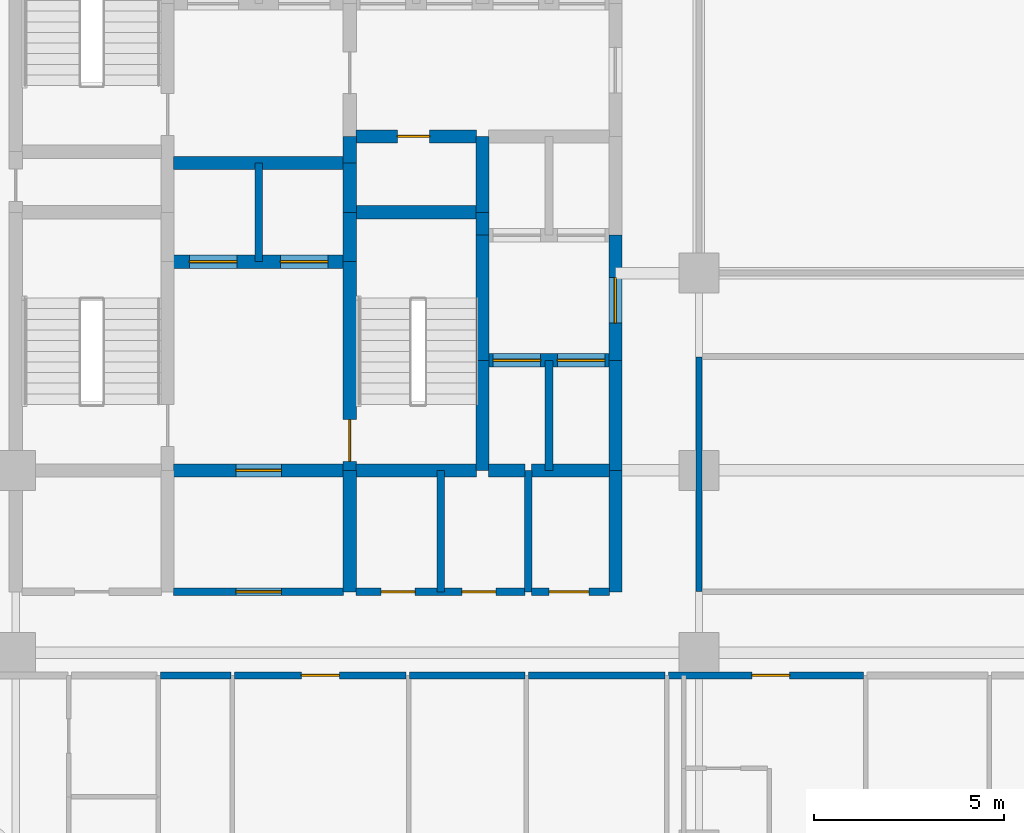
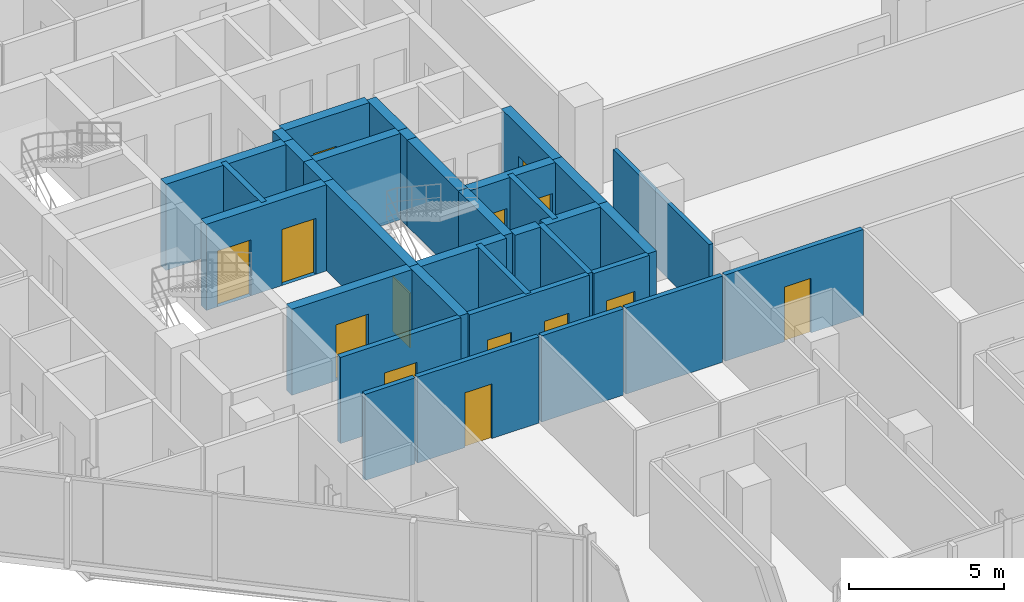
# One storey, part 24 of 29: 34 walls, 14 doors, 14 openings.
"""IFC4 building model written with IfcOpenShell, lengths in metres."""

from ifc_helpers import new_model, si_unit, direction, frame, frame_2d, origin, place, context, subcontext, project, spatial, rectangle, extrude, material, layer, layer_set, type_object, element, fill, save


model = new_model("IFC4")

# Units and contexts
model_context = context("Model", 3, precision=1e-05, world=origin(), true_north=direction((0.0, 1.0)))
body_context = subcontext(model_context, "Body", "Model", "MODEL_VIEW")
ifc_project = project(units=[si_unit("LENGTHUNIT", "METRE"), si_unit("AREAUNIT", "SQUARE_METRE"), si_unit("VOLUMEUNIT", "CUBIC_METRE"), si_unit("PLANEANGLEUNIT", "RADIAN"), si_unit("MASSUNIT", "GRAM", prefix="KILO")], contexts=[model_context])

# Site, building, storey
site_placement = place(None, origin())
site = spatial("IfcSite", under=ifc_project, at=site_placement, CompositionType="ELEMENT")
building_placement = place(site_placement, origin())
building = spatial("IfcBuilding", under=site, at=building_placement, Name="Keshet Zoharim Tower", CompositionType="ELEMENT")
storey_placement = place(building_placement, frame((0.0, 0.0, 94.60009765625)))
storey = spatial("IfcBuildingStorey", under=building, at=storey_placement, Name="L22", CompositionType="ELEMENT", Elevation=94.60009765625)

# Walls
ifc_material_1 = material(Name="Gypsum Plasterboard", Category="gypsum")
ifc_layer_1 = layer(ifc_material_1, 0.14990234375)
ifc_layer_set_1 = layer_set([ifc_layer_1], Name="Gypsum Plasterboard")
wall_type_1 = type_object("IfcWallType", Name="WL-CLIN-150", PredefinedType="STANDARD", material=ifc_layer_set_1)
wall_1_placement = place(storey_placement, frame((33.0, 19.510009765625, 0.0), z_axis=(0.0, 0.0, 1.0), x_axis=(0.0, 1.0, 0.0)))
element("IfcWall", 1, at=wall_1_placement, inside=storey, type_object=wall_type_1, Name="L22 Interior Wall 075", PredefinedType="STANDARD", context=body_context, shape_type="SweptSolid", body=[
    extrude(rectangle(XDim=6.179931640625, YDim=0.14990234375, at=frame_2d((3.08984375, 0.0))), origin(), (0.0, 0.0, 1.0), 2.934814453125),
])
ifc_material_2 = material(Name="Concrete C60/75", Category="concrete")
ifc_layer_2 = layer(ifc_material_2, 0.35009765625)
ifc_layer_set_2 = layer_set([ifc_layer_2], Name="Concrete C60/75")
wall_type_2 = type_object("IfcWallType", Name="WL-CORE-350", PredefinedType="SHEAR", material=ifc_layer_set_2)
wall_2_placement = place(storey_placement, frame((23.800048828125, 19.5, 0.0), z_axis=(0.0, 0.0, 1.0), x_axis=(0.0, 1.0, 0.0)))
element("IfcWall", 2, at=wall_2_placement, inside=storey, type_object=wall_type_2, Name="L22 Core Shear Wall 035", PredefinedType="SHEAR", context=body_context, shape_type="SweptSolid", body=[
    extrude(rectangle(XDim=3.199951171875, YDim=0.35009765625, at=frame_2d((1.60009765625, 0.0))), origin(), (0.0, 0.0, 1.0), 3.385009765625),
])

# Wall, opening, door
wall_3_placement = place(storey_placement, frame((23.800048828125, 22.699951171875, 0.0), z_axis=(0.0, 0.0, 1.0), x_axis=(0.0, 1.0, 0.0)))
wall_3 = element("IfcWall", 3, at=wall_3_placement, inside=storey, type_object=wall_type_2, Name="L22 Core Shear Wall 036", PredefinedType="SHEAR", context=body_context, shape_type="SweptSolid", body=[
    extrude(rectangle(XDim=5.5, YDim=0.35009765625, at=frame_2d((2.75, 0.0))), origin(), (0.0, 0.0, 1.0), 3.385009765625),
])
opening_1_placement = place(wall_3_placement, frame((0.235107421875, 0.0, 0.0)))
opening_1 = element("IfcOpeningElement", 4, at=opening_1_placement, cuts=wall_3, Name="Opening D-F611", PredefinedType="OPENING", context=body_context, shape_type="SweptSolid", body=[
    extrude(rectangle(XDim=1.10009765625, YDim=2.14990234375, at=frame_2d((0.550048828125, 1.074951171875))), frame((0.0, 0.18505859375, 0.0), z_axis=(0.0, -1.0, 0.0), x_axis=(1.0, 0.0, 0.0)), (0.0, 0.0, 1.0), 0.3701171875),
])
ifc_material_3 = material(Name="Hardwood Timber", Category="wood")
door_type_1 = type_object("IfcDoorType", Name="DR-FD60-110", OperationType="NOTDEFINED", PredefinedType="DOOR", material=ifc_material_3)
door_1_placement = place(opening_1_placement, frame((1.10009765625, 0.0, 0.0), z_axis=(0.0, 0.0, 1.0), x_axis=(-1.0, 0.0, 0.0)))
door_1 = element("IfcDoor", 5, at=door_1_placement, inside=storey, type_object=door_type_1, Name="L22 Exit Stair ST-03 Fire Door", OperationType="SINGLE_SWING_LEFT", OverallHeight=2.14990234375, OverallWidth=1.10009765625, PredefinedType="DOOR", context=body_context, shape_type="SweptSolid", body=[
    extrude(rectangle(XDim=1.10009765625, YDim=2.14990234375, at=frame_2d((0.550048828125, 1.074951171875))), frame((0.0, 0.02490234375, 0.0), z_axis=(0.0, -1.0, 0.0), x_axis=(1.0, 0.0, 0.0)), (0.0, 0.0, 1.0), 0.050048828125),
])
fill(opening_1, door_1)

# Walls
for number, where, z_axis, x_axis, name in (
    (6, (23.800048828125, 28.199951171875, 0.0), (0.0, 0.0, 1.0), (0.0, 1.0, 0.0), "L22 Core Shear Wall 037"),
    (7, (23.800048828125, 29.5, 0.0), (0.0, 0.0, 1.0), (0.0, 1.0, 0.0), "L22 Core Shear Wall 038"),
):
    element("IfcWall", number, at=place(storey_placement, frame(where, z_axis=z_axis, x_axis=x_axis)), inside=storey, type_object=wall_type_2, Name=name, PredefinedType="SHEAR", context=body_context, shape_type="SweptSolid", body=[
        extrude(rectangle(XDim=1.300048828125, YDim=0.35009765625, at=frame_2d((0.64990234375, 0.0))), origin(), (0.0, 0.0, 1.0), 3.385009765625),
    ])
wall_4_placement = place(storey_placement, frame((23.800048828125, 30.800048828125, 0.0), z_axis=(0.0, 0.0, 1.0), x_axis=(0.0, 1.0, 0.0)))
element("IfcWall", 8, at=wall_4_placement, inside=storey, type_object=wall_type_2, Name="L22 Core Shear Wall 039", PredefinedType="SHEAR", context=body_context, shape_type="SweptSolid", body=[
    extrude(rectangle(XDim=0.699951171875, YDim=0.35009765625, at=frame_2d((0.35009765625, 0.0))), origin(), (0.0, 0.0, 1.0), 3.385009765625),
])
wall_5_placement = place(storey_placement, frame((27.300048828125, 22.699951171875, 0.0), z_axis=(0.0, 0.0, 1.0), x_axis=(0.0, 1.0, 0.0)))
element("IfcWall", 9, at=wall_5_placement, inside=storey, type_object=wall_type_2, Name="L22 Core Shear Wall 048", PredefinedType="SHEAR", context=body_context, shape_type="SweptSolid", body=[
    extrude(rectangle(XDim=2.900146484375, YDim=0.35009765625, at=frame_2d((1.4501953125, 0.0))), origin(), (0.0, 0.0, 1.0), 3.385009765625),
])
wall_6_placement = place(storey_placement, frame((27.300048828125, 25.60009765625, 0.0), z_axis=(0.0, 0.0, 1.0), x_axis=(0.0, 1.0, 0.0)))
element("IfcWall", 10, at=wall_6_placement, inside=storey, type_object=wall_type_2, Name="L22 Core Shear Wall 049", PredefinedType="SHEAR", context=body_context, shape_type="SweptSolid", body=[
    extrude(rectangle(XDim=3.2998046875, YDim=0.35009765625, at=frame_2d((1.64990234375, 0.0))), origin(), (0.0, 0.0, 1.0), 3.385009765625),
])
wall_7_placement = place(storey_placement, frame((27.300048828125, 28.89990234375, 0.0), z_axis=(0.0, 0.0, 1.0), x_axis=(0.0, 1.0, 0.0)))
element("IfcWall", 11, at=wall_7_placement, inside=storey, type_object=wall_type_2, Name="L22 Core Shear Wall 050", PredefinedType="SHEAR", context=body_context, shape_type="SweptSolid", body=[
    extrude(rectangle(XDim=0.60009765625, YDim=0.35009765625, at=frame_2d((0.300048828125, 0.0))), origin(), (0.0, 0.0, 1.0), 3.385009765625),
])
wall_8_placement = place(storey_placement, frame((27.300048828125, 29.5, 0.0), z_axis=(0.0, 0.0, 1.0), x_axis=(0.0, 1.0, 0.0)))
element("IfcWall", 12, at=wall_8_placement, inside=storey, type_object=wall_type_2, Name="L22 Core Shear Wall 051", PredefinedType="SHEAR", context=body_context, shape_type="SweptSolid", body=[
    extrude(rectangle(XDim=2.0, YDim=0.35009765625, at=frame_2d((1.0, 0.0))), origin(), (0.0, 0.0, 1.0), 3.385009765625),
])
wall_9_placement = place(storey_placement, frame((30.800048828125, 19.5, 0.0), z_axis=(0.0, 0.0, 1.0), x_axis=(0.0, 1.0, 0.0)))
element("IfcWall", 13, at=wall_9_placement, inside=storey, type_object=wall_type_2, Name="L22 Core Shear Wall 062", PredefinedType="SHEAR", context=body_context, shape_type="SweptSolid", body=[
    extrude(rectangle(XDim=3.199951171875, YDim=0.35009765625, at=frame_2d((1.60009765625, 0.0))), origin(), (0.0, 0.0, 1.0), 3.385009765625),
])
wall_10_placement = place(storey_placement, frame((30.800048828125, 22.699951171875, 0.0), z_axis=(0.0, 0.0, 1.0), x_axis=(0.0, 1.0, 0.0)))
element("IfcWall", 14, at=wall_10_placement, inside=storey, type_object=wall_type_2, Name="L22 Core Shear Wall 063", PredefinedType="SHEAR", context=body_context, shape_type="SweptSolid", body=[
    extrude(rectangle(XDim=2.900146484375, YDim=0.35009765625, at=frame_2d((1.4501953125, 0.0))), origin(), (0.0, 0.0, 1.0), 3.385009765625),
])

# Wall, opening, door
wall_11_placement = place(storey_placement, frame((30.800048828125, 25.60009765625, 0.0), z_axis=(0.0, 0.0, 1.0), x_axis=(0.0, 1.0, 0.0)))
wall_11 = element("IfcWall", 15, at=wall_11_placement, inside=storey, type_object=wall_type_2, Name="L22 Core Shear Wall 064", PredefinedType="SHEAR", context=body_context, shape_type="SweptSolid", body=[
    extrude(rectangle(XDim=3.2998046875, YDim=0.35009765625, at=frame_2d((1.64990234375, 0.0))), origin(), (0.0, 0.0, 1.0), 3.385009765625),
])
opening_2_placement = place(wall_11_placement, frame((0.97802734375, 0.0, 0.0)))
opening_2 = element("IfcOpeningElement", 16, at=opening_2_placement, cuts=wall_11, Name="Opening D-F612", PredefinedType="OPENING", context=body_context, shape_type="SweptSolid", body=[
    extrude(rectangle(XDim=1.199951171875, YDim=2.199951171875, at=frame_2d((0.60009765625, 1.10009765625))), frame((0.0, 0.18505859375, 0.0), z_axis=(0.0, -1.0, 0.0), x_axis=(1.0, 0.0, 0.0)), (0.0, 0.0, 1.0), 0.3701171875),
])
door_type_2 = type_object("IfcDoorType", Name="DR-FD60-120", OperationType="NOTDEFINED", PredefinedType="DOOR", material=ifc_material_3)
door_2_placement = place(opening_2_placement, origin())
door_2 = element("IfcDoor", 17, at=door_2_placement, inside=storey, type_object=door_type_2, Name="L22 East Lift Lobby Fire Door", OperationType="SINGLE_SWING_LEFT", OverallHeight=2.199951171875, OverallWidth=1.199951171875, PredefinedType="DOOR", context=body_context, shape_type="SweptSolid", body=[
    extrude(rectangle(XDim=1.199951171875, YDim=2.199951171875, at=frame_2d((0.60009765625, 1.10009765625))), frame((0.0, 0.02490234375, 0.0), z_axis=(0.0, -1.0, 0.0), x_axis=(1.0, 0.0, 0.0)), (0.0, 0.0, 1.0), 0.050048828125),
])
fill(opening_2, door_2)

wall_12_placement = place(storey_placement, frame((19.159912109375, 22.699951171875, 0.0), z_axis=(0.0, 0.0, 1.0), x_axis=(1.0, 0.0, 0.0)))
wall_12 = element("IfcWall", 18, at=wall_12_placement, inside=storey, type_object=wall_type_2, Name="L22 Core Shear Wall 158", PredefinedType="SHEAR", context=body_context, shape_type="SweptSolid", body=[
    extrude(rectangle(XDim=4.47998046875, YDim=0.35009765625, at=frame_2d((2.239990234375, 0.0))), origin(), (0.0, 0.0, 1.0), 3.385009765625),
])
opening_3_placement = place(wall_12_placement, frame((1.639892578125, 0.0, 0.0)))
opening_3 = element("IfcOpeningElement", 19, at=opening_3_placement, cuts=wall_12, Name="Opening D-F612", PredefinedType="OPENING", context=body_context, shape_type="SweptSolid", body=[
    extrude(rectangle(XDim=1.199951171875, YDim=2.199951171875, at=frame_2d((0.60009765625, 1.10009765625))), frame((0.0, 0.18505859375, 0.0), z_axis=(0.0, -1.0, 0.0), x_axis=(1.0, 0.0, 0.0)), (0.0, 0.0, 1.0), 0.3701171875),
])
door_3_placement = place(opening_3_placement, origin())
door_3 = element("IfcDoor", 20, at=door_3_placement, inside=storey, type_object=door_type_2, Name="L22 South Core Lobby Fire Door", OperationType="SINGLE_SWING_RIGHT", OverallHeight=2.199951171875, OverallWidth=1.199951171875, PredefinedType="DOOR", context=body_context, shape_type="SweptSolid", body=[
    extrude(rectangle(XDim=1.199951171875, YDim=2.199951171875, at=frame_2d((0.60009765625, 1.10009765625))), frame((0.0, 0.02490234375, 0.0), z_axis=(0.0, -1.0, 0.0), x_axis=(1.0, 0.0, 0.0)), (0.0, 0.0, 1.0), 0.050048828125),
])
fill(opening_3, door_3)

# Walls
wall_13_placement = place(storey_placement, frame((23.9599609375, 22.699951171875, 0.0), z_axis=(0.0, 0.0, 1.0), x_axis=(1.0, 0.0, 0.0)))
element("IfcWall", 21, at=wall_13_placement, inside=storey, type_object=wall_type_2, Name="L22 Core Shear Wall 159", PredefinedType="SHEAR", context=body_context, shape_type="SweptSolid", body=[
    extrude(rectangle(XDim=3.179931640625, YDim=0.35009765625, at=frame_2d((1.58984375, 0.0))), origin(), (0.0, 0.0, 1.0), 3.385009765625),
])
wall_14_placement = place(storey_placement, frame((27.4599609375, 22.699951171875, 0.0), z_axis=(0.0, 0.0, 1.0), x_axis=(1.0, 0.0, 0.0)))
element("IfcWall", 22, at=wall_14_placement, inside=storey, type_object=wall_type_2, Name="L22 Core Shear Wall 160", PredefinedType="SHEAR", context=body_context, shape_type="SweptSolid", body=[
    extrude(rectangle(XDim=0.955078125, YDim=0.35009765625, at=frame_2d((0.4775390625, 0.0))), origin(), (0.0, 0.0, 1.0), 3.385009765625),
])
wall_15_placement = place(storey_placement, frame((28.5849609375, 22.699951171875, 0.0), z_axis=(0.0, 0.0, 1.0), x_axis=(1.0, 0.0, 0.0)))
element("IfcWall", 23, at=wall_15_placement, inside=storey, type_object=wall_type_2, Name="L22 Core Shear Wall 161", PredefinedType="SHEAR", context=body_context, shape_type="SweptSolid", body=[
    extrude(rectangle(XDim=2.054931640625, YDim=0.35009765625, at=frame_2d((1.02734375, 0.0))), origin(), (0.0, 0.0, 1.0), 3.385009765625),
])

# Wall, openings, doors
wall_16_placement = place(storey_placement, frame((27.4599609375, 25.60009765625, 0.0), z_axis=(0.0, 0.0, 1.0), x_axis=(1.0, 0.0, 0.0)))
wall_16 = element("IfcWall", 24, at=wall_16_placement, inside=storey, type_object=wall_type_2, Name="L22 Core Shear Wall 164", PredefinedType="SHEAR", context=body_context, shape_type="SweptSolid", body=[
    extrude(rectangle(XDim=3.179931640625, YDim=0.35009765625, at=frame_2d((1.58984375, 0.0))), origin(), (0.0, 0.0, 1.0), 3.385009765625),
])
opening_4_placement = place(wall_16_placement, frame((0.1201171875, 0.0, 0.0)))
opening_4 = element("IfcOpeningElement", 25, at=opening_4_placement, cuts=wall_16, Name="Opening LD-01", PredefinedType="OPENING", context=body_context, shape_type="SweptSolid", body=[
    extrude(rectangle(XDim=1.25, YDim=2.199951171875, at=frame_2d((0.625, 1.10009765625))), frame((0.0, 0.18505859375, 0.0), z_axis=(0.0, -1.0, 0.0), x_axis=(1.0, 0.0, 0.0)), (0.0, 0.0, 1.0), 0.3701171875),
])
opening_5_placement = place(wall_16_placement, frame((1.81005859375, 0.0, 0.0)))
opening_5 = element("IfcOpeningElement", 26, at=opening_5_placement, cuts=wall_16, Name="Opening LD-01", PredefinedType="OPENING", context=body_context, shape_type="SweptSolid", body=[
    extrude(rectangle(XDim=1.25, YDim=2.199951171875, at=frame_2d((0.625, 1.10009765625))), frame((0.0, 0.18505859375, 0.0), z_axis=(0.0, -1.0, 0.0), x_axis=(1.0, 0.0, 0.0)), (0.0, 0.0, 1.0), 0.3701171875),
])
ifc_material_4 = material(Name="Steel S355", Category="steel")
door_type_3 = type_object("IfcDoorType", Name="DR-LD01-125", OperationType="DOUBLE_DOOR_SLIDING", PredefinedType="DOOR", material=ifc_material_4)
door_4_placement = place(opening_4_placement, origin())
door_4 = element("IfcDoor", 27, at=door_4_placement, inside=storey, type_object=door_type_3, Name="L22 Passenger Lift Landing Door LF-07", OperationType="DOUBLE_DOOR_SLIDING", OverallHeight=2.199951171875, OverallWidth=1.25, PredefinedType="DOOR", context=body_context, shape_type="SweptSolid", body=[
    extrude(rectangle(XDim=1.25, YDim=2.199951171875, at=frame_2d((0.625, 1.10009765625))), frame((0.0, 0.02490234375, 0.0), z_axis=(0.0, -1.0, 0.0), x_axis=(1.0, 0.0, 0.0)), (0.0, 0.0, 1.0), 0.050048828125),
])
fill(opening_4, door_4)
door_5_placement = place(opening_5_placement, origin())
door_5 = element("IfcDoor", 28, at=door_5_placement, inside=storey, type_object=door_type_3, Name="L22 Passenger Lift Landing Door LF-08", OperationType="DOUBLE_DOOR_SLIDING", OverallHeight=2.199951171875, OverallWidth=1.25, PredefinedType="DOOR", context=body_context, shape_type="SweptSolid", body=[
    extrude(rectangle(XDim=1.25, YDim=2.199951171875, at=frame_2d((0.625, 1.10009765625))), frame((0.0, 0.02490234375, 0.0), z_axis=(0.0, -1.0, 0.0), x_axis=(1.0, 0.0, 0.0)), (0.0, 0.0, 1.0), 0.050048828125),
])
fill(opening_5, door_5)

wall_17_placement = place(storey_placement, frame((19.159912109375, 28.199951171875, 0.0), z_axis=(0.0, 0.0, 1.0), x_axis=(1.0, 0.0, 0.0)))
wall_17 = element("IfcWall", 29, at=wall_17_placement, inside=storey, type_object=wall_type_2, Name="L22 Core Shear Wall 169", PredefinedType="SHEAR", context=body_context, shape_type="SweptSolid", body=[
    extrude(rectangle(XDim=4.47998046875, YDim=0.35009765625, at=frame_2d((2.239990234375, 0.0))), origin(), (0.0, 0.0, 1.0), 3.385009765625),
])
opening_6_placement = place(wall_17_placement, frame((0.4150390625, 0.0, 0.0)))
opening_6 = element("IfcOpeningElement", 30, at=opening_6_placement, cuts=wall_17, Name="Opening LD-01", PredefinedType="OPENING", context=body_context, shape_type="SweptSolid", body=[
    extrude(rectangle(XDim=1.25, YDim=2.199951171875, at=frame_2d((0.625, 1.10009765625))), frame((0.0, 0.18505859375, 0.0), z_axis=(0.0, -1.0, 0.0), x_axis=(1.0, 0.0, 0.0)), (0.0, 0.0, 1.0), 0.3701171875),
])
opening_7_placement = place(wall_17_placement, frame((2.81494140625, 0.0, 0.0)))
opening_7 = element("IfcOpeningElement", 31, at=opening_7_placement, cuts=wall_17, Name="Opening LD-01", PredefinedType="OPENING", context=body_context, shape_type="SweptSolid", body=[
    extrude(rectangle(XDim=1.25, YDim=2.199951171875, at=frame_2d((0.625, 1.10009765625))), frame((0.0, 0.18505859375, 0.0), z_axis=(0.0, -1.0, 0.0), x_axis=(1.0, 0.0, 0.0)), (0.0, 0.0, 1.0), 0.3701171875),
])
door_6_placement = place(opening_6_placement, origin())
door_6 = element("IfcDoor", 32, at=door_6_placement, inside=storey, type_object=door_type_3, Name="L22 Passenger Lift Landing Door LF-09", OperationType="DOUBLE_DOOR_SLIDING", OverallHeight=2.199951171875, OverallWidth=1.25, PredefinedType="DOOR", context=body_context, shape_type="SweptSolid", body=[
    extrude(rectangle(XDim=1.25, YDim=2.199951171875, at=frame_2d((0.625, 1.10009765625))), frame((0.0, 0.02490234375, 0.0), z_axis=(0.0, -1.0, 0.0), x_axis=(1.0, 0.0, 0.0)), (0.0, 0.0, 1.0), 0.050048828125),
])
fill(opening_6, door_6)
door_7_placement = place(opening_7_placement, origin())
door_7 = element("IfcDoor", 33, at=door_7_placement, inside=storey, type_object=door_type_3, Name="L22 Passenger Lift Landing Door LF-10", OperationType="DOUBLE_DOOR_SLIDING", OverallHeight=2.199951171875, OverallWidth=1.25, PredefinedType="DOOR", context=body_context, shape_type="SweptSolid", body=[
    extrude(rectangle(XDim=1.25, YDim=2.199951171875, at=frame_2d((0.625, 1.10009765625))), frame((0.0, 0.02490234375, 0.0), z_axis=(0.0, -1.0, 0.0), x_axis=(1.0, 0.0, 0.0)), (0.0, 0.0, 1.0), 0.050048828125),
])
fill(opening_7, door_7)

# Walls
wall_18_placement = place(storey_placement, frame((23.9599609375, 29.5, 0.0), z_axis=(0.0, 0.0, 1.0), x_axis=(1.0, 0.0, 0.0)))
element("IfcWall", 34, at=wall_18_placement, inside=storey, type_object=wall_type_2, Name="L22 Core Shear Wall 176", PredefinedType="SHEAR", context=body_context, shape_type="SweptSolid", body=[
    extrude(rectangle(XDim=3.179931640625, YDim=0.35009765625, at=frame_2d((1.58984375, 0.0))), origin(), (0.0, 0.0, 1.0), 3.385009765625),
])
wall_19_placement = place(storey_placement, frame((19.159912109375, 30.800048828125, 0.0), z_axis=(0.0, 0.0, 1.0), x_axis=(1.0, 0.0, 0.0)))
element("IfcWall", 35, at=wall_19_placement, inside=storey, type_object=wall_type_2, Name="L22 Core Shear Wall 177", PredefinedType="SHEAR", context=body_context, shape_type="SweptSolid", body=[
    extrude(rectangle(XDim=4.47998046875, YDim=0.35009765625, at=frame_2d((2.239990234375, 0.0))), origin(), (0.0, 0.0, 1.0), 3.385009765625),
])

# Wall, opening, door
wall_20_placement = place(storey_placement, frame((23.9599609375, 31.5, 0.0), z_axis=(0.0, 0.0, 1.0), x_axis=(1.0, 0.0, 0.0)))
wall_20 = element("IfcWall", 36, at=wall_20_placement, inside=storey, type_object=wall_type_2, Name="L22 Core Shear Wall 181", PredefinedType="SHEAR", context=body_context, shape_type="SweptSolid", body=[
    extrude(rectangle(XDim=3.179931640625, YDim=0.35009765625, at=frame_2d((1.58984375, 0.0))), origin(), (0.0, 0.0, 1.0), 3.385009765625),
])
opening_8_placement = place(wall_20_placement, frame((1.093994140625, 0.0, 0.0)))
opening_8 = element("IfcOpeningElement", 37, at=opening_8_placement, cuts=wall_20, Name="Opening D-RS85", PredefinedType="OPENING", context=body_context, shape_type="SweptSolid", body=[
    extrude(rectangle(XDim=0.85009765625, YDim=2.10009765625, at=frame_2d((0.425048828125, 1.050048828125))), frame((0.0, 0.18505859375, 0.0), z_axis=(0.0, -1.0, 0.0), x_axis=(1.0, 0.0, 0.0)), (0.0, 0.0, 1.0), 0.3701171875),
])
door_type_4 = type_object("IfcDoorType", Name="DR-RIS-085", OperationType="NOTDEFINED", PredefinedType="DOOR", material=ifc_material_3)
door_8_placement = place(opening_8_placement, origin())
door_8 = element("IfcDoor", 38, at=door_8_placement, inside=storey, type_object=door_type_4, Name="L22 Telecom Riser Access Cupboard Door", OperationType="SINGLE_SWING_RIGHT", OverallHeight=2.10009765625, OverallWidth=0.85009765625, PredefinedType="DOOR", context=body_context, shape_type="SweptSolid", body=[
    extrude(rectangle(XDim=0.85009765625, YDim=2.10009765625, at=frame_2d((0.425048828125, 1.050048828125))), frame((0.0, 0.02490234375, 0.0), z_axis=(0.0, -1.0, 0.0), x_axis=(1.0, 0.0, 0.0)), (0.0, 0.0, 1.0), 0.050048828125),
])
fill(opening_8, door_8)

# Wall
ifc_layer_3 = layer(ifc_material_1, 0.179931640625)
ifc_layer_set_3 = layer_set([ifc_layer_3], Name="Gypsum Plasterboard")
wall_type_3 = type_object("IfcWallType", Name="WL-CORR-180", PredefinedType="STANDARD", material=ifc_layer_set_3)
wall_21_placement = place(storey_placement, frame((18.81494140625, 17.300048828125, 0.0), z_axis=(0.0, 0.0, 1.0), x_axis=(1.0, 0.0, 0.0)))
element("IfcWall", 39, at=wall_21_placement, inside=storey, type_object=wall_type_3, Name="L22 Interior Wall 137", PredefinedType="STANDARD", context=body_context, shape_type="SweptSolid", body=[
    extrude(rectangle(XDim=1.860107421875, YDim=0.179931640625, at=frame_2d((0.93017578125, 0.0))), origin(), (0.0, 0.0, 1.0), 3.385009765625),
])

# Wall, opening, door
wall_22_placement = place(storey_placement, frame((20.764892578125, 17.300048828125, 0.0), z_axis=(0.0, 0.0, 1.0), x_axis=(1.0, 0.0, 0.0)))
wall_22 = element("IfcWall", 40, at=wall_22_placement, inside=storey, type_object=wall_type_3, Name="L22 Interior Wall 138", PredefinedType="STANDARD", context=body_context, shape_type="SweptSolid", body=[
    extrude(rectangle(XDim=4.52001953125, YDim=0.179931640625, at=frame_2d((2.260009765625, 0.0))), origin(), (0.0, 0.0, 1.0), 3.385009765625),
])
opening_9_placement = place(wall_22_placement, frame((1.760009765625, 0.0, 0.0)))
opening_9 = element("IfcOpeningElement", 41, at=opening_9_placement, cuts=wall_22, Name="Opening D-F310", PredefinedType="OPENING", context=body_context, shape_type="SweptSolid", body=[
    extrude(rectangle(XDim=1.0, YDim=2.14990234375, at=frame_2d((0.5, 1.074951171875))), frame((0.0, 0.10009765625, 0.0), z_axis=(0.0, -1.0, 0.0), x_axis=(1.0, 0.0, 0.0)), (0.0, 0.0, 1.0), 0.199951171875),
])
door_type_5 = type_object("IfcDoorType", Name="DR-FD30-100", OperationType="NOTDEFINED", PredefinedType="DOOR", material=ifc_material_3)
door_9_placement = place(opening_9_placement, origin())
door_9 = element("IfcDoor", 42, at=door_9_placement, inside=storey, type_object=door_type_5, Name="Apartment 2202 Entrance Door", OperationType="SINGLE_SWING_RIGHT", OverallHeight=2.14990234375, OverallWidth=1.0, PredefinedType="DOOR", context=body_context, shape_type="SweptSolid", body=[
    extrude(rectangle(XDim=1.0, YDim=2.14990234375, at=frame_2d((0.5, 1.074951171875))), frame((0.0, 0.02490234375, 0.0), z_axis=(0.0, -1.0, 0.0), x_axis=(1.0, 0.0, 0.0)), (0.0, 0.0, 1.0), 0.050048828125),
])
fill(opening_9, door_9)

# Walls
wall_23_placement = place(storey_placement, frame((25.375, 17.300048828125, 0.0), z_axis=(0.0, 0.0, 1.0), x_axis=(1.0, 0.0, 0.0)))
element("IfcWall", 43, at=wall_23_placement, inside=storey, type_object=wall_type_3, Name="L22 Interior Wall 139", PredefinedType="STANDARD", context=body_context, shape_type="SweptSolid", body=[
    extrude(rectangle(XDim=3.047119140625, YDim=0.179931640625, at=frame_2d((1.5234375, 0.0))), origin(), (0.0, 0.0, 1.0), 3.385009765625),
])
wall_24_placement = place(storey_placement, frame((28.511962890625, 17.300048828125, 0.0), z_axis=(0.0, 0.0, 1.0), x_axis=(1.0, 0.0, 0.0)))
element("IfcWall", 44, at=wall_24_placement, inside=storey, type_object=wall_type_3, Name="L22 Interior Wall 140", PredefinedType="STANDARD", context=body_context, shape_type="SweptSolid", body=[
    extrude(rectangle(XDim=3.593017578125, YDim=0.179931640625, at=frame_2d((1.79638671875, 0.0))), origin(), (0.0, 0.0, 1.0), 3.385009765625),
])

# Wall, opening, door
wall_25_placement = place(storey_placement, frame((32.195068359375, 17.300048828125, 0.0), z_axis=(0.0, 0.0, 1.0), x_axis=(1.0, 0.0, 0.0)))
wall_25 = element("IfcWall", 45, at=wall_25_placement, inside=storey, type_object=wall_type_3, Name="L22 Interior Wall 141", PredefinedType="STANDARD", context=body_context, shape_type="SweptSolid", body=[
    extrude(rectangle(XDim=5.139892578125, YDim=0.179931640625, at=frame_2d((2.56982421875, 0.0))), origin(), (0.0, 0.0, 1.0), 3.385009765625),
])
opening_10_placement = place(wall_25_placement, frame((2.197998046875, 0.0, 0.0)))
opening_10 = element("IfcOpeningElement", 46, at=opening_10_placement, cuts=wall_25, Name="Opening D-F310", PredefinedType="OPENING", context=body_context, shape_type="SweptSolid", body=[
    extrude(rectangle(XDim=1.0, YDim=2.14990234375, at=frame_2d((0.5, 1.074951171875))), frame((0.0, 0.10009765625, 0.0), z_axis=(0.0, -1.0, 0.0), x_axis=(1.0, 0.0, 0.0)), (0.0, 0.0, 1.0), 0.199951171875),
])
door_10_placement = place(opening_10_placement, origin())
door_10 = element("IfcDoor", 47, at=door_10_placement, inside=storey, type_object=door_type_5, Name="Apartment 2203 Entrance Door", OperationType="SINGLE_SWING_LEFT", OverallHeight=2.14990234375, OverallWidth=1.0, PredefinedType="DOOR", context=body_context, shape_type="SweptSolid", body=[
    extrude(rectangle(XDim=1.0, YDim=2.14990234375, at=frame_2d((0.5, 1.074951171875))), frame((0.0, 0.02490234375, 0.0), z_axis=(0.0, -1.0, 0.0), x_axis=(1.0, 0.0, 0.0)), (0.0, 0.0, 1.0), 0.050048828125),
])
fill(opening_10, door_10)

# Walls
ifc_material_5 = material(Name="Concrete C50/60", Category="concrete")
ifc_layer_4 = layer(ifc_material_5, 0.199951171875)
ifc_layer_set_4 = layer_set([ifc_layer_4], Name="Concrete C50/60")
wall_type_4 = type_object("IfcWallType", Name="WL-FIRE-200", PredefinedType="STANDARD", material=ifc_layer_set_4)
wall_26_placement = place(storey_placement, frame((21.39990234375, 28.199951171875, 0.0), z_axis=(0.0, 0.0, 1.0), x_axis=(0.0, 1.0, 0.0)))
element("IfcWall", 48, at=wall_26_placement, inside=storey, type_object=wall_type_4, Name="L22 Interior Wall 031", PredefinedType="STANDARD", context=body_context, shape_type="SweptSolid", body=[
    extrude(rectangle(XDim=2.60009765625, YDim=0.199951171875, at=frame_2d((1.300048828125, 0.0))), origin(), (0.0, 0.0, 1.0), 3.385009765625),
])
for number, where, z_axis, x_axis, name in (
    (49, (26.199951171875, 19.5, 0.0), (0.0, 0.0, 1.0), (0.0, 1.0, 0.0), "L22 Interior Wall 047"),
    (50, (28.5, 19.5, 0.0), (0.0, 0.0, 1.0), (0.0, 1.0, 0.0), "L22 Interior Wall 054"),
):
    element("IfcWall", number, at=place(storey_placement, frame(where, z_axis=z_axis, x_axis=x_axis)), inside=storey, type_object=wall_type_4, Name=name, PredefinedType="STANDARD", context=body_context, shape_type="SweptSolid", body=[
        extrude(rectangle(XDim=3.199951171875, YDim=0.199951171875, at=frame_2d((1.60009765625, 0.0))), origin(), (0.0, 0.0, 1.0), 3.385009765625),
    ])
wall_27_placement = place(storey_placement, frame((29.050048828125, 22.699951171875, 0.0), z_axis=(0.0, 0.0, 1.0), x_axis=(0.0, 1.0, 0.0)))
element("IfcWall", 51, at=wall_27_placement, inside=storey, type_object=wall_type_4, Name="L22 Interior Wall 059", PredefinedType="STANDARD", context=body_context, shape_type="SweptSolid", body=[
    extrude(rectangle(XDim=2.900146484375, YDim=0.199951171875, at=frame_2d((1.4501953125, 0.0))), origin(), (0.0, 0.0, 1.0), 3.385009765625),
])

# Wall, opening, door
wall_28_placement = place(storey_placement, frame((19.159912109375, 19.5, 0.0), z_axis=(0.0, 0.0, 1.0), x_axis=(1.0, 0.0, 0.0)))
wall_28 = element("IfcWall", 52, at=wall_28_placement, inside=storey, type_object=wall_type_4, Name="L22 Interior Wall 150", PredefinedType="STANDARD", context=body_context, shape_type="SweptSolid", body=[
    extrude(rectangle(XDim=4.47998046875, YDim=0.199951171875, at=frame_2d((2.239990234375, 0.0))), origin(), (0.0, 0.0, 1.0), 3.385009765625),
])
opening_11_placement = place(wall_28_placement, frame((1.639892578125, 0.0, 0.0)))
opening_11 = element("IfcOpeningElement", 53, at=opening_11_placement, cuts=wall_28, Name="Opening D-F612", PredefinedType="OPENING", context=body_context, shape_type="SweptSolid", body=[
    extrude(rectangle(XDim=1.199951171875, YDim=2.199951171875, at=frame_2d((0.60009765625, 1.10009765625))), frame((0.0, 0.10986328125, 0.0), z_axis=(0.0, -1.0, 0.0), x_axis=(1.0, 0.0, 0.0)), (0.0, 0.0, 1.0), 0.219970703125),
])
door_11_placement = place(opening_11_placement, origin())
door_11 = element("IfcDoor", 54, at=door_11_placement, inside=storey, type_object=door_type_2, Name="L22 South Vestibule Corridor Door", OperationType="SINGLE_SWING_RIGHT", OverallHeight=2.199951171875, OverallWidth=1.199951171875, PredefinedType="DOOR", context=body_context, shape_type="SweptSolid", body=[
    extrude(rectangle(XDim=1.199951171875, YDim=2.199951171875, at=frame_2d((0.60009765625, 1.10009765625))), frame((0.0, 0.02490234375, 0.0), z_axis=(0.0, -1.0, 0.0), x_axis=(1.0, 0.0, 0.0)), (0.0, 0.0, 1.0), 0.050048828125),
])
fill(opening_11, door_11)

# Wall, openings, doors
wall_29_placement = place(storey_placement, frame((23.9599609375, 19.5, 0.0), z_axis=(0.0, 0.0, 1.0), x_axis=(1.0, 0.0, 0.0)))
wall_29 = element("IfcWall", 55, at=wall_29_placement, inside=storey, type_object=wall_type_4, Name="L22 Interior Wall 151", PredefinedType="STANDARD", context=body_context, shape_type="SweptSolid", body=[
    extrude(rectangle(XDim=4.455078125, YDim=0.199951171875, at=frame_2d((2.2275390625, 0.0))), origin(), (0.0, 0.0, 1.0), 3.385009765625),
])
opening_12_placement = place(wall_29_placement, frame((0.6650390625, 0.0, 0.0)))
opening_12 = element("IfcOpeningElement", 56, at=opening_12_placement, cuts=wall_29, Name="Opening D-F690", PredefinedType="OPENING", context=body_context, shape_type="SweptSolid", body=[
    extrude(rectangle(XDim=0.89990234375, YDim=2.14990234375, at=frame_2d((0.449951171875, 1.074951171875))), frame((0.0, 0.10986328125, 0.0), z_axis=(0.0, -1.0, 0.0), x_axis=(1.0, 0.0, 0.0)), (0.0, 0.0, 1.0), 0.219970703125),
])
opening_13_placement = place(wall_29_placement, frame((2.791015625, 0.0, 0.0)))
opening_13 = element("IfcOpeningElement", 57, at=opening_13_placement, cuts=wall_29, Name="Opening D-F690", PredefinedType="OPENING", context=body_context, shape_type="SweptSolid", body=[
    extrude(rectangle(XDim=0.89990234375, YDim=2.14990234375, at=frame_2d((0.449951171875, 1.074951171875))), frame((0.0, 0.10986328125, 0.0), z_axis=(0.0, -1.0, 0.0), x_axis=(1.0, 0.0, 0.0)), (0.0, 0.0, 1.0), 0.219970703125),
])
door_type_6 = type_object("IfcDoorType", Name="DR-FD60-090", OperationType="NOTDEFINED", PredefinedType="DOOR", material=ifc_material_3)
door_12_placement = place(opening_12_placement, origin())
door_12 = element("IfcDoor", 58, at=door_12_placement, inside=storey, type_object=door_type_6, Name="L22 Switchgear Room Door", OperationType="SINGLE_SWING_LEFT", OverallHeight=2.14990234375, OverallWidth=0.89990234375, PredefinedType="DOOR", context=body_context, shape_type="SweptSolid", body=[
    extrude(rectangle(XDim=0.89990234375, YDim=2.14990234375, at=frame_2d((0.449951171875, 1.074951171875))), frame((0.0, 0.02490234375, 0.0), z_axis=(0.0, -1.0, 0.0), x_axis=(1.0, 0.0, 0.0)), (0.0, 0.0, 1.0), 0.050048828125),
])
fill(opening_12, door_12)
door_13_placement = place(opening_13_placement, origin())
door_13 = element("IfcDoor", 59, at=door_13_placement, inside=storey, type_object=door_type_6, Name="L22 Telecom Room Door", OperationType="SINGLE_SWING_RIGHT", OverallHeight=2.14990234375, OverallWidth=0.89990234375, PredefinedType="DOOR", context=body_context, shape_type="SweptSolid", body=[
    extrude(rectangle(XDim=0.89990234375, YDim=2.14990234375, at=frame_2d((0.449951171875, 1.074951171875))), frame((0.0, 0.02490234375, 0.0), z_axis=(0.0, -1.0, 0.0), x_axis=(1.0, 0.0, 0.0)), (0.0, 0.0, 1.0), 0.050048828125),
])
fill(opening_13, door_13)

# Wall, opening, door
wall_30_placement = place(storey_placement, frame((28.5849609375, 19.5, 0.0), z_axis=(0.0, 0.0, 1.0), x_axis=(1.0, 0.0, 0.0)))
wall_30 = element("IfcWall", 60, at=wall_30_placement, inside=storey, type_object=wall_type_4, Name="L22 Interior Wall 152", PredefinedType="STANDARD", context=body_context, shape_type="SweptSolid", body=[
    extrude(rectangle(XDim=2.054931640625, YDim=0.199951171875, at=frame_2d((1.02734375, 0.0))), origin(), (0.0, 0.0, 1.0), 3.385009765625),
])
opening_14_placement = place(wall_30_placement, frame((0.466064453125, 0.0, 0.0)))
opening_14 = element("IfcOpeningElement", 61, at=opening_14_placement, cuts=wall_30, Name="Opening D-AC10", PredefinedType="OPENING", context=body_context, shape_type="SweptSolid", body=[
    extrude(rectangle(XDim=1.050048828125, YDim=2.14990234375, at=frame_2d((0.52490234375, 1.074951171875))), frame((0.0, 0.10986328125, 0.0), z_axis=(0.0, -1.0, 0.0), x_axis=(1.0, 0.0, 0.0)), (0.0, 0.0, 1.0), 0.219970703125),
])
door_type_7 = type_object("IfcDoorType", Name="DR-ACC-105", OperationType="NOTDEFINED", PredefinedType="DOOR", material=ifc_material_3)
door_14_placement = place(opening_14_placement, origin())
door_14 = element("IfcDoor", 62, at=door_14_placement, inside=storey, type_object=door_type_7, Name="L22 Accessible WC Door", OperationType="SINGLE_SWING_LEFT", OverallHeight=2.14990234375, OverallWidth=1.050048828125, PredefinedType="DOOR", context=body_context, shape_type="SweptSolid", body=[
    extrude(rectangle(XDim=1.050048828125, YDim=2.14990234375, at=frame_2d((0.52490234375, 1.074951171875))), frame((0.0, 0.02490234375, 0.0), z_axis=(0.0, -1.0, 0.0), x_axis=(1.0, 0.0, 0.0)), (0.0, 0.0, 1.0), 0.050048828125),
])
fill(opening_14, door_14)

save(model, "model.ifc")
